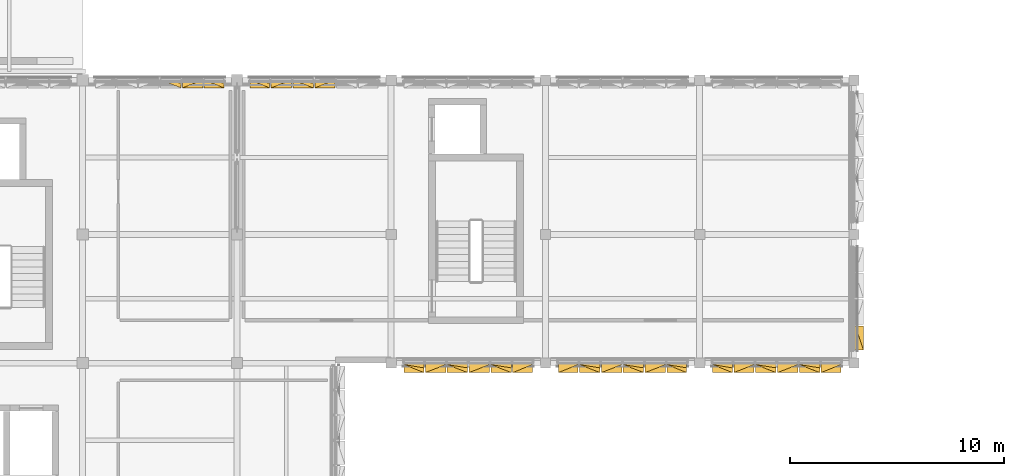
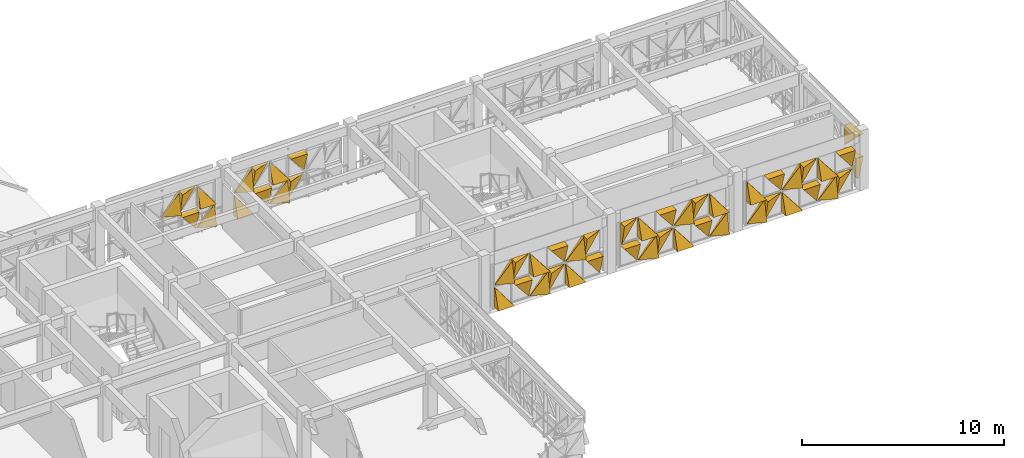
# One storey, part 46 of 48: 51 coverings.
"""IFC4 building model written with IfcOpenShell, lengths in metres."""

from ifc_helpers import new_model, si_unit, direction, frame, origin, place, context, subcontext, project, spatial, polygons, material, layer, layer_set, type_object, element, save


model = new_model("IFC4")

# Units and contexts
model_context = context("Model", 3, precision=1e-05, world=origin(), true_north=direction((0.0, 1.0)))
body_context = subcontext(model_context, "Body", "Model", "MODEL_VIEW")
ifc_project = project(units=[si_unit("LENGTHUNIT", "METRE"), si_unit("AREAUNIT", "SQUARE_METRE"), si_unit("VOLUMEUNIT", "CUBIC_METRE"), si_unit("PLANEANGLEUNIT", "RADIAN"), si_unit("MASSUNIT", "GRAM", prefix="KILO")], contexts=[model_context])

# Site, building, storey
site_placement = place(None, origin())
site = spatial("IfcSite", under=ifc_project, at=site_placement, CompositionType="ELEMENT")
building_placement = place(site_placement, origin())
building = spatial("IfcBuilding", under=site, at=building_placement, Name="Alvorim Cloister Faculty of Sciences", CompositionType="ELEMENT")
storey_placement = place(building_placement, frame((0.0, 0.0, 19.35009765625)))
storey = spatial("IfcBuildingStorey", under=building, at=storey_placement, Name="L05", CompositionType="ELEMENT", Elevation=19.35009765625)

# Coverings
ifc_material = material(Name="Perforated Bronze Alloy Sheet", Category="metal")
ifc_layer = layer(ifc_material, 0.0380859375)
ifc_layer_set = layer_set([ifc_layer], Name="Perforated Bronze Alloy Sheet")
covering_type = type_object("IfcCoveringType", Name="COV-TRI-BRZ", PredefinedType="CLADDING", material=ifc_layer_set)
covering_1_placement = place(storey_placement, frame((25.232421875, 56.445068359375, 1.494873046875), z_axis=(0.0, 0.0, 1.0), x_axis=(1.0, 0.0, 0.0)))
element("IfcCovering", 1, at=covering_1_placement, inside=storey, type_object=covering_type, Name="Diagonal Solid Metal Triangle TRI-BR", PredefinedType="CLADDING", context=body_context, shape_type="Tessellation", body=[
    polygons([(0.002, 0.0260009765625, 0.0), (0.955078125, 0.0260009765625, 0.0), (0.955078125, 0.0260009765625, 1.213087890625), (0.002, -0.03, 0.0), (0.955078125, -0.4, 0.0), (0.955078125, -0.18000000000000002, 1.213087890625)], [[[1, 3, 2]], [[4, 5, 6]], [[1, 2, 5, 4]], [[2, 3, 6, 5]], [[3, 1, 4, 6]]], closed=True),
])
covering_2_placement = place(storey_placement, frame((26.25244140625, 56.445068359375, 0.139892578125), z_axis=(0.0, 0.0, 1.0), x_axis=(1.0, 0.0, 0.0)))
element("IfcCovering", 2, at=covering_2_placement, inside=storey, type_object=covering_type, Name="Diagonal Solid Metal Triangle TRI-TR", PredefinedType="CLADDING", context=body_context, shape_type="Tessellation", body=[
    polygons([(0.955078125, 0.0260009765625, 0.002), (0.955078125, 0.0260009765625, 1.215087890625), (0.002, 0.0260009765625, 1.215087890625), (0.955078125, -0.03, 0.002), (0.955078125, -0.4, 1.215087890625), (0.002, -0.4, 1.215087890625)], [[[1, 3, 2]], [[4, 5, 6]], [[1, 2, 5, 4]], [[2, 3, 6, 5]], [[3, 1, 4, 6]]], closed=True),
])
covering_3_placement = place(storey_placement, frame((26.25244140625, 56.445068359375, 1.494873046875), z_axis=(0.0, 0.0, 1.0), x_axis=(1.0, 0.0, 0.0)))
element("IfcCovering", 3, at=covering_3_placement, inside=storey, type_object=covering_type, Name="Diagonal Solid Metal Triangle TRI-TL", PredefinedType="CLADDING", context=body_context, shape_type="Tessellation", body=[
    polygons([(0.953078125, 0.0260009765625, 1.215087890625), (0.0, 0.0260009765625, 1.215087890625), (0.0, 0.0260009765625, 0.002), (0.953078125, -0.03, 1.215087890625), (0.0, -0.4, 1.215087890625), (0.0, -0.13999999999999999, 0.002)], [[[1, 3, 2]], [[4, 5, 6]], [[1, 2, 5, 4]], [[2, 3, 6, 5]], [[3, 1, 4, 6]]], closed=True),
])
covering_4_placement = place(storey_placement, frame((27.2724609375, 56.445068359375, 0.139892578125), z_axis=(0.0, 0.0, 1.0), x_axis=(1.0, 0.0, 0.0)))
element("IfcCovering", 4, at=covering_4_placement, inside=storey, type_object=covering_type, Name="Diagonal Solid Metal Triangle TRI-BR", PredefinedType="CLADDING", context=body_context, shape_type="Tessellation", body=[
    polygons([(0.002, 0.0260009765625, 0.0), (0.922607421875, 0.0260009765625, 0.0), (0.922607421875, 0.0260009765625, 1.213087890625), (0.002, -0.03, 0.0), (0.922607421875, -0.4, 0.0), (0.922607421875, -0.18000000000000002, 1.213087890625)], [[[1, 3, 2]], [[4, 5, 6]], [[1, 2, 5, 4]], [[2, 3, 6, 5]], [[3, 1, 4, 6]]], closed=True),
])
for number, where, z_axis, x_axis, name in (
    (5, (27.2724609375, 56.445068359375, 1.494873046875), (0.0, 0.0, 1.0), (1.0, 0.0, 0.0), "Diagonal Solid Metal Triangle TRI-BL"),
    (6, (29.405029296875, 56.445068359375, 0.139892578125), (0.0, 0.0, 1.0), (1.0, 0.0, 0.0), "Diagonal Solid Metal Triangle TRI-BL"),
):
    element("IfcCovering", number, at=place(storey_placement, frame(where, z_axis=z_axis, x_axis=x_axis)), inside=storey, type_object=covering_type, Name=name, PredefinedType="CLADDING", context=body_context, shape_type="Tessellation", body=[
        polygons([(0.0, 0.0260009765625, 0.0), (0.920607421875, 0.0260009765625, 0.0), (0.0, 0.0260009765625, 1.213087890625), (0.0, -0.4, 0.0), (0.920607421875, -0.4, 0.0), (0.0, -0.03, 1.213087890625)], [[[1, 3, 2]], [[4, 5, 6]], [[1, 2, 5, 4]], [[2, 3, 6, 5]], [[3, 1, 4, 6]]], closed=True),
    ])
covering_5_placement = place(storey_placement, frame((29.405029296875, 56.445068359375, 1.494873046875), z_axis=(0.0, 0.0, 1.0), x_axis=(1.0, 0.0, 0.0)))
element("IfcCovering", 7, at=covering_5_placement, inside=storey, type_object=covering_type, Name="Diagonal Solid Metal Triangle TRI-BR", PredefinedType="CLADDING", context=body_context, shape_type="Tessellation", body=[
    polygons([(0.002, 0.0260009765625, 0.0), (0.922607421875, 0.0260009765625, 0.0), (0.922607421875, 0.0260009765625, 1.213087890625), (0.002, -0.03, 0.0), (0.922607421875, -0.4, 0.0), (0.922607421875, -0.18000000000000002, 1.213087890625)], [[[1, 3, 2]], [[4, 5, 6]], [[1, 2, 5, 4]], [[2, 3, 6, 5]], [[3, 1, 4, 6]]], closed=True),
])
covering_6_placement = place(storey_placement, frame((30.392578125, 56.445068359375, 0.139892578125), z_axis=(0.0, 0.0, 1.0), x_axis=(1.0, 0.0, 0.0)))
element("IfcCovering", 8, at=covering_6_placement, inside=storey, type_object=covering_type, Name="Diagonal Solid Metal Triangle TRI-TR", PredefinedType="CLADDING", context=body_context, shape_type="Tessellation", body=[
    polygons([(0.955078125, 0.0260009765625, 0.002), (0.955078125, 0.0260009765625, 1.215087890625), (0.002, 0.0260009765625, 1.215087890625), (0.955078125, -0.03, 0.002), (0.955078125, -0.4, 1.215087890625), (0.002, -0.4, 1.215087890625)], [[[1, 3, 2]], [[4, 5, 6]], [[1, 2, 5, 4]], [[2, 3, 6, 5]], [[3, 1, 4, 6]]], closed=True),
])
covering_7_placement = place(storey_placement, frame((30.392578125, 56.445068359375, 1.494873046875), z_axis=(0.0, 0.0, 1.0), x_axis=(1.0, 0.0, 0.0)))
element("IfcCovering", 9, at=covering_7_placement, inside=storey, type_object=covering_type, Name="Diagonal Solid Metal Triangle TRI-TL", PredefinedType="CLADDING", context=body_context, shape_type="Tessellation", body=[
    polygons([(0.953078125, 0.0260009765625, 1.215087890625), (0.0, 0.0260009765625, 1.215087890625), (0.0, 0.0260009765625, 0.002), (0.953078125, -0.03, 1.215087890625), (0.0, -0.4, 1.215087890625), (0.0, -0.13999999999999999, 0.002)], [[[1, 3, 2]], [[4, 5, 6]], [[1, 2, 5, 4]], [[2, 3, 6, 5]], [[3, 1, 4, 6]]], closed=True),
])
covering_8_placement = place(storey_placement, frame((31.41259765625, 56.445068359375, 0.139892578125), z_axis=(0.0, 0.0, 1.0), x_axis=(1.0, 0.0, 0.0)))
element("IfcCovering", 10, at=covering_8_placement, inside=storey, type_object=covering_type, Name="Diagonal Solid Metal Triangle TRI-BR", PredefinedType="CLADDING", context=body_context, shape_type="Tessellation", body=[
    polygons([(0.002, 0.0260009765625, 0.0), (0.955078125, 0.0260009765625, 0.0), (0.955078125, 0.0260009765625, 1.213087890625), (0.002, -0.03, 0.0), (0.955078125, -0.4, 0.0), (0.955078125, -0.18000000000000002, 1.213087890625)], [[[1, 3, 2]], [[4, 5, 6]], [[1, 2, 5, 4]], [[2, 3, 6, 5]], [[3, 1, 4, 6]]], closed=True),
])
covering_9_placement = place(storey_placement, frame((31.41259765625, 56.445068359375, 1.494873046875), z_axis=(0.0, 0.0, 1.0), x_axis=(1.0, 0.0, 0.0)))
element("IfcCovering", 11, at=covering_9_placement, inside=storey, type_object=covering_type, Name="Diagonal Solid Metal Triangle TRI-BL", PredefinedType="CLADDING", context=body_context, shape_type="Tessellation", body=[
    polygons([(0.0, 0.0260009765625, 0.0), (0.953078125, 0.0260009765625, 0.0), (0.0, 0.0260009765625, 1.213087890625), (0.0, -0.4, 0.0), (0.953078125, -0.4, 0.0), (0.0, -0.03, 1.213087890625)], [[[1, 3, 2]], [[4, 5, 6]], [[1, 2, 5, 4]], [[2, 3, 6, 5]], [[3, 1, 4, 6]]], closed=True),
])
covering_10_placement = place(storey_placement, frame((32.4326171875, 56.445068359375, 0.139892578125), z_axis=(0.0, 0.0, 1.0), x_axis=(1.0, 0.0, 0.0)))
element("IfcCovering", 12, at=covering_10_placement, inside=storey, type_object=covering_type, Name="Diagonal Solid Metal Triangle TRI-TL", PredefinedType="CLADDING", context=body_context, shape_type="Tessellation", body=[
    polygons([(0.953078125, 0.0260009765625, 1.215087890625), (0.0, 0.0260009765625, 1.215087890625), (0.0, 0.0260009765625, 0.002), (0.953078125, -0.03, 1.215087890625), (0.0, -0.4, 1.215087890625), (0.0, -0.13999999999999999, 0.002)], [[[1, 3, 2]], [[4, 5, 6]], [[1, 2, 5, 4]], [[2, 3, 6, 5]], [[3, 1, 4, 6]]], closed=True),
])
covering_11_placement = place(storey_placement, frame((32.4326171875, 56.445068359375, 1.494873046875), z_axis=(0.0, 0.0, 1.0), x_axis=(1.0, 0.0, 0.0)))
element("IfcCovering", 13, at=covering_11_placement, inside=storey, type_object=covering_type, Name="Diagonal Solid Metal Triangle TRI-TR", PredefinedType="CLADDING", context=body_context, shape_type="Tessellation", body=[
    polygons([(0.955078125, 0.0260009765625, 0.002), (0.955078125, 0.0260009765625, 1.215087890625), (0.002, 0.0260009765625, 1.215087890625), (0.955078125, -0.03, 0.002), (0.955078125, -0.4, 1.215087890625), (0.002, -0.4, 1.215087890625)], [[[1, 3, 2]], [[4, 5, 6]], [[1, 2, 5, 4]], [[2, 3, 6, 5]], [[3, 1, 4, 6]]], closed=True),
])
covering_12_placement = place(storey_placement, frame((57.64501953125, 43.804931640625, 0.139892578125), z_axis=(0.0, 0.0, 1.0), x_axis=(0.0, 1.0, 0.0)))
element("IfcCovering", 14, at=covering_12_placement, inside=storey, type_object=covering_type, Name="Diagonal Solid Metal Triangle TRI-TL", PredefinedType="CLADDING", context=body_context, shape_type="Tessellation", body=[
    polygons([(1.130568359375, 0.0260009765625, 1.215087890625), (0.0, 0.0260009765625, 1.215087890625), (0.0, 0.0260009765625, 0.002), (1.130568359375, -0.03, 1.215087890625), (0.0, -0.4, 1.215087890625), (0.0, -0.13999999999999999, 0.002)], [[[1, 3, 2]], [[4, 5, 6]], [[1, 2, 5, 4]], [[2, 3, 6, 5]], [[3, 1, 4, 6]]], closed=True),
])
covering_13_placement = place(storey_placement, frame((57.64501953125, 43.804931640625, 1.494873046875), z_axis=(0.0, 0.0, 1.0), x_axis=(0.0, 1.0, 0.0)))
element("IfcCovering", 15, at=covering_13_placement, inside=storey, type_object=covering_type, Name="Diagonal Solid Metal Triangle TRI-TR", PredefinedType="CLADDING", context=body_context, shape_type="Tessellation", body=[
    polygons([(1.132568359375, 0.0260009765625, 0.002), (1.132568359375, 0.0260009765625, 1.215087890625), (0.002, 0.0260009765625, 1.215087890625), (1.132568359375, -0.03, 0.002), (1.132568359375, -0.4, 1.215087890625), (0.002, -0.4, 1.215087890625)], [[[1, 3, 2]], [[4, 5, 6]], [[1, 2, 5, 4]], [[2, 3, 6, 5]], [[3, 1, 4, 6]]], closed=True),
])
covering_14_placement = place(storey_placement, frame((51.0048828125, 43.155029296875, 0.139892578125), z_axis=(0.0, 0.0, 1.0), x_axis=(1.0, 0.0, 0.0)))
element("IfcCovering", 16, at=covering_14_placement, inside=storey, type_object=covering_type, Name="Diagonal Solid Metal Triangle TRI-BR", PredefinedType="CLADDING", context=body_context, shape_type="Tessellation", body=[
    polygons([(0.002, 0.0260009765625, 0.0), (0.922607421875, 0.0260009765625, 0.0), (0.922607421875, 0.0260009765625, 1.213087890625), (0.002, -0.03, 0.0), (0.922607421875, -0.4, 0.0), (0.922607421875, -0.18000000000000002, 1.213087890625)], [[[1, 3, 2]], [[4, 5, 6]], [[1, 2, 5, 4]], [[2, 3, 6, 5]], [[3, 1, 4, 6]]], closed=True),
])
covering_15_placement = place(storey_placement, frame((51.0048828125, 43.155029296875, 1.494873046875), z_axis=(0.0, 0.0, 1.0), x_axis=(1.0, 0.0, 0.0)))
element("IfcCovering", 17, at=covering_15_placement, inside=storey, type_object=covering_type, Name="Diagonal Solid Metal Triangle TRI-BL", PredefinedType="CLADDING", context=body_context, shape_type="Tessellation", body=[
    polygons([(0.0, 0.0260009765625, 0.0), (0.920607421875, 0.0260009765625, 0.0), (0.0, 0.0260009765625, 1.213087890625), (0.0, -0.4, 0.0), (0.920607421875, -0.4, 0.0), (0.0, -0.03, 1.213087890625)], [[[1, 3, 2]], [[4, 5, 6]], [[1, 2, 5, 4]], [[2, 3, 6, 5]], [[3, 1, 4, 6]]], closed=True),
])
covering_16_placement = place(storey_placement, frame((51.992431640625, 43.155029296875, 0.139892578125), z_axis=(0.0, 0.0, 1.0), x_axis=(1.0, 0.0, 0.0)))
element("IfcCovering", 18, at=covering_16_placement, inside=storey, type_object=covering_type, Name="Diagonal Solid Metal Triangle TRI-TL", PredefinedType="CLADDING", context=body_context, shape_type="Tessellation", body=[
    polygons([(0.953078125, 0.0260009765625, 1.215087890625), (0.0, 0.0260009765625, 1.215087890625), (0.0, 0.0260009765625, 0.002), (0.953078125, -0.03, 1.215087890625), (0.0, -0.4, 1.215087890625), (0.0, -0.13999999999999999, 0.002)], [[[1, 3, 2]], [[4, 5, 6]], [[1, 2, 5, 4]], [[2, 3, 6, 5]], [[3, 1, 4, 6]]], closed=True),
])
covering_17_placement = place(storey_placement, frame((51.992431640625, 43.155029296875, 1.494873046875), z_axis=(0.0, 0.0, 1.0), x_axis=(1.0, 0.0, 0.0)))
element("IfcCovering", 19, at=covering_17_placement, inside=storey, type_object=covering_type, Name="Diagonal Solid Metal Triangle TRI-TR", PredefinedType="CLADDING", context=body_context, shape_type="Tessellation", body=[
    polygons([(0.955078125, 0.0260009765625, 0.002), (0.955078125, 0.0260009765625, 1.215087890625), (0.002, 0.0260009765625, 1.215087890625), (0.955078125, -0.03, 0.002), (0.955078125, -0.4, 1.215087890625), (0.002, -0.4, 1.215087890625)], [[[1, 3, 2]], [[4, 5, 6]], [[1, 2, 5, 4]], [[2, 3, 6, 5]], [[3, 1, 4, 6]]], closed=True),
])
covering_18_placement = place(storey_placement, frame((53.012451171875, 43.155029296875, 0.139892578125), z_axis=(0.0, 0.0, 1.0), x_axis=(1.0, 0.0, 0.0)))
element("IfcCovering", 20, at=covering_18_placement, inside=storey, type_object=covering_type, Name="Diagonal Solid Metal Triangle TRI-BL", PredefinedType="CLADDING", context=body_context, shape_type="Tessellation", body=[
    polygons([(0.0, 0.0260009765625, 0.0), (0.953078125, 0.0260009765625, 0.0), (0.0, 0.0260009765625, 1.213087890625), (0.0, -0.4, 0.0), (0.953078125, -0.4, 0.0), (0.0, -0.03, 1.213087890625)], [[[1, 3, 2]], [[4, 5, 6]], [[1, 2, 5, 4]], [[2, 3, 6, 5]], [[3, 1, 4, 6]]], closed=True),
])
covering_19_placement = place(storey_placement, frame((53.012451171875, 43.155029296875, 1.494873046875), z_axis=(0.0, 0.0, 1.0), x_axis=(1.0, 0.0, 0.0)))
element("IfcCovering", 21, at=covering_19_placement, inside=storey, type_object=covering_type, Name="Diagonal Solid Metal Triangle TRI-BR", PredefinedType="CLADDING", context=body_context, shape_type="Tessellation", body=[
    polygons([(0.002, 0.0260009765625, 0.0), (0.955078125, 0.0260009765625, 0.0), (0.955078125, 0.0260009765625, 1.213087890625), (0.002, -0.03, 0.0), (0.955078125, -0.4, 0.0), (0.955078125, -0.18000000000000002, 1.213087890625)], [[[1, 3, 2]], [[4, 5, 6]], [[1, 2, 5, 4]], [[2, 3, 6, 5]], [[3, 1, 4, 6]]], closed=True),
])
covering_20_placement = place(storey_placement, frame((54.032470703125, 43.155029296875, 0.139892578125), z_axis=(0.0, 0.0, 1.0), x_axis=(1.0, 0.0, 0.0)))
element("IfcCovering", 22, at=covering_20_placement, inside=storey, type_object=covering_type, Name="Diagonal Solid Metal Triangle TRI-TR", PredefinedType="CLADDING", context=body_context, shape_type="Tessellation", body=[
    polygons([(0.955078125, 0.0260009765625, 0.002), (0.955078125, 0.0260009765625, 1.215087890625), (0.002, 0.0260009765625, 1.215087890625), (0.955078125, -0.03, 0.002), (0.955078125, -0.4, 1.215087890625), (0.002, -0.4, 1.215087890625)], [[[1, 3, 2]], [[4, 5, 6]], [[1, 2, 5, 4]], [[2, 3, 6, 5]], [[3, 1, 4, 6]]], closed=True),
])
covering_21_placement = place(storey_placement, frame((54.032470703125, 43.155029296875, 1.494873046875), z_axis=(0.0, 0.0, 1.0), x_axis=(1.0, 0.0, 0.0)))
element("IfcCovering", 23, at=covering_21_placement, inside=storey, type_object=covering_type, Name="Diagonal Solid Metal Triangle TRI-TL", PredefinedType="CLADDING", context=body_context, shape_type="Tessellation", body=[
    polygons([(0.953078125, 0.0260009765625, 1.215087890625), (0.0, 0.0260009765625, 1.215087890625), (0.0, 0.0260009765625, 0.002), (0.953078125, -0.03, 1.215087890625), (0.0, -0.4, 1.215087890625), (0.0, -0.13999999999999999, 0.002)], [[[1, 3, 2]], [[4, 5, 6]], [[1, 2, 5, 4]], [[2, 3, 6, 5]], [[3, 1, 4, 6]]], closed=True),
])
covering_22_placement = place(storey_placement, frame((55.052490234375, 43.155029296875, 0.139892578125), z_axis=(0.0, 0.0, 1.0), x_axis=(1.0, 0.0, 0.0)))
element("IfcCovering", 24, at=covering_22_placement, inside=storey, type_object=covering_type, Name="Diagonal Solid Metal Triangle TRI-BR", PredefinedType="CLADDING", context=body_context, shape_type="Tessellation", body=[
    polygons([(0.002, 0.0260009765625, 0.0), (0.955078125, 0.0260009765625, 0.0), (0.955078125, 0.0260009765625, 1.213087890625), (0.002, -0.03, 0.0), (0.955078125, -0.4, 0.0), (0.955078125, -0.18000000000000002, 1.213087890625)], [[[1, 3, 2]], [[4, 5, 6]], [[1, 2, 5, 4]], [[2, 3, 6, 5]], [[3, 1, 4, 6]]], closed=True),
])
covering_23_placement = place(storey_placement, frame((55.052490234375, 43.155029296875, 1.494873046875), z_axis=(0.0, 0.0, 1.0), x_axis=(1.0, 0.0, 0.0)))
element("IfcCovering", 25, at=covering_23_placement, inside=storey, type_object=covering_type, Name="Diagonal Solid Metal Triangle TRI-BL", PredefinedType="CLADDING", context=body_context, shape_type="Tessellation", body=[
    polygons([(0.0, 0.0260009765625, 0.0), (0.953078125, 0.0260009765625, 0.0), (0.0, 0.0260009765625, 1.213087890625), (0.0, -0.4, 0.0), (0.953078125, -0.4, 0.0), (0.0, -0.03, 1.213087890625)], [[[1, 3, 2]], [[4, 5, 6]], [[1, 2, 5, 4]], [[2, 3, 6, 5]], [[3, 1, 4, 6]]], closed=True),
])
covering_24_placement = place(storey_placement, frame((56.072509765625, 43.155029296875, 0.139892578125), z_axis=(0.0, 0.0, 1.0), x_axis=(1.0, 0.0, 0.0)))
element("IfcCovering", 26, at=covering_24_placement, inside=storey, type_object=covering_type, Name="Diagonal Solid Metal Triangle TRI-TL", PredefinedType="CLADDING", context=body_context, shape_type="Tessellation", body=[
    polygons([(0.920607421875, 0.0260009765625, 1.215087890625), (0.0, 0.0260009765625, 1.215087890625), (0.0, 0.0260009765625, 0.002), (0.920607421875, -0.03, 1.215087890625), (0.0, -0.4, 1.215087890625), (0.0, -0.13999999999999999, 0.002)], [[[1, 3, 2]], [[4, 5, 6]], [[1, 2, 5, 4]], [[2, 3, 6, 5]], [[3, 1, 4, 6]]], closed=True),
])
for number, where, z_axis, x_axis, name in (
    (27, (56.072509765625, 43.155029296875, 1.494873046875), (0.0, 0.0, 1.0), (1.0, 0.0, 0.0), "Diagonal Solid Metal Triangle TRI-TR"),
    (28, (43.804931640625, 43.155029296875, 0.139892578125), (0.0, 0.0, 1.0), (1.0, 0.0, 0.0), "Diagonal Solid Metal Triangle TRI-TR"),
):
    element("IfcCovering", number, at=place(storey_placement, frame(where, z_axis=z_axis, x_axis=x_axis)), inside=storey, type_object=covering_type, Name=name, PredefinedType="CLADDING", context=body_context, shape_type="Tessellation", body=[
        polygons([(0.922607421875, 0.0260009765625, 0.002), (0.922607421875, 0.0260009765625, 1.215087890625), (0.002, 0.0260009765625, 1.215087890625), (0.922607421875, -0.03, 0.002), (0.922607421875, -0.4, 1.215087890625), (0.002, -0.4, 1.215087890625)], [[[1, 3, 2]], [[4, 5, 6]], [[1, 2, 5, 4]], [[2, 3, 6, 5]], [[3, 1, 4, 6]]], closed=True),
    ])
covering_25_placement = place(storey_placement, frame((43.804931640625, 43.155029296875, 1.494873046875), z_axis=(0.0, 0.0, 1.0), x_axis=(1.0, 0.0, 0.0)))
element("IfcCovering", 29, at=covering_25_placement, inside=storey, type_object=covering_type, Name="Diagonal Solid Metal Triangle TRI-TL", PredefinedType="CLADDING", context=body_context, shape_type="Tessellation", body=[
    polygons([(0.920607421875, 0.0260009765625, 1.215087890625), (0.0, 0.0260009765625, 1.215087890625), (0.0, 0.0260009765625, 0.002), (0.920607421875, -0.03, 1.215087890625), (0.0, -0.4, 1.215087890625), (0.0, -0.13999999999999999, 0.002)], [[[1, 3, 2]], [[4, 5, 6]], [[1, 2, 5, 4]], [[2, 3, 6, 5]], [[3, 1, 4, 6]]], closed=True),
])
covering_26_placement = place(storey_placement, frame((44.79248046875, 43.155029296875, 0.139892578125), z_axis=(0.0, 0.0, 1.0), x_axis=(1.0, 0.0, 0.0)))
element("IfcCovering", 30, at=covering_26_placement, inside=storey, type_object=covering_type, Name="Diagonal Solid Metal Triangle TRI-BR", PredefinedType="CLADDING", context=body_context, shape_type="Tessellation", body=[
    polygons([(0.002, 0.0260009765625, 0.0), (0.955078125, 0.0260009765625, 0.0), (0.955078125, 0.0260009765625, 1.213087890625), (0.002, -0.03, 0.0), (0.955078125, -0.4, 0.0), (0.955078125, -0.18000000000000002, 1.213087890625)], [[[1, 3, 2]], [[4, 5, 6]], [[1, 2, 5, 4]], [[2, 3, 6, 5]], [[3, 1, 4, 6]]], closed=True),
])
covering_27_placement = place(storey_placement, frame((44.79248046875, 43.155029296875, 1.494873046875), z_axis=(0.0, 0.0, 1.0), x_axis=(1.0, 0.0, 0.0)))
element("IfcCovering", 31, at=covering_27_placement, inside=storey, type_object=covering_type, Name="Diagonal Solid Metal Triangle TRI-BL", PredefinedType="CLADDING", context=body_context, shape_type="Tessellation", body=[
    polygons([(0.0, 0.0260009765625, 0.0), (0.953078125, 0.0260009765625, 0.0), (0.0, 0.0260009765625, 1.213087890625), (0.0, -0.4, 0.0), (0.953078125, -0.4, 0.0), (0.0, -0.03, 1.213087890625)], [[[1, 3, 2]], [[4, 5, 6]], [[1, 2, 5, 4]], [[2, 3, 6, 5]], [[3, 1, 4, 6]]], closed=True),
])
covering_28_placement = place(storey_placement, frame((45.8125, 43.155029296875, 0.139892578125), z_axis=(0.0, 0.0, 1.0), x_axis=(1.0, 0.0, 0.0)))
element("IfcCovering", 32, at=covering_28_placement, inside=storey, type_object=covering_type, Name="Diagonal Solid Metal Triangle TRI-TL", PredefinedType="CLADDING", context=body_context, shape_type="Tessellation", body=[
    polygons([(0.953078125, 0.0260009765625, 1.215087890625), (0.0, 0.0260009765625, 1.215087890625), (0.0, 0.0260009765625, 0.002), (0.953078125, -0.03, 1.215087890625), (0.0, -0.4, 1.215087890625), (0.0, -0.13999999999999999, 0.002)], [[[1, 3, 2]], [[4, 5, 6]], [[1, 2, 5, 4]], [[2, 3, 6, 5]], [[3, 1, 4, 6]]], closed=True),
])
covering_29_placement = place(storey_placement, frame((45.8125, 43.155029296875, 1.494873046875), z_axis=(0.0, 0.0, 1.0), x_axis=(1.0, 0.0, 0.0)))
element("IfcCovering", 33, at=covering_29_placement, inside=storey, type_object=covering_type, Name="Diagonal Solid Metal Triangle TRI-TR", PredefinedType="CLADDING", context=body_context, shape_type="Tessellation", body=[
    polygons([(0.955078125, 0.0260009765625, 0.002), (0.955078125, 0.0260009765625, 1.215087890625), (0.002, 0.0260009765625, 1.215087890625), (0.955078125, -0.03, 0.002), (0.955078125, -0.4, 1.215087890625), (0.002, -0.4, 1.215087890625)], [[[1, 3, 2]], [[4, 5, 6]], [[1, 2, 5, 4]], [[2, 3, 6, 5]], [[3, 1, 4, 6]]], closed=True),
])
covering_30_placement = place(storey_placement, frame((46.83251953125, 43.155029296875, 0.139892578125), z_axis=(0.0, 0.0, 1.0), x_axis=(1.0, 0.0, 0.0)))
element("IfcCovering", 34, at=covering_30_placement, inside=storey, type_object=covering_type, Name="Diagonal Solid Metal Triangle TRI-BL", PredefinedType="CLADDING", context=body_context, shape_type="Tessellation", body=[
    polygons([(0.0, 0.0260009765625, 0.0), (0.953078125, 0.0260009765625, 0.0), (0.0, 0.0260009765625, 1.213087890625), (0.0, -0.4, 0.0), (0.953078125, -0.4, 0.0), (0.0, -0.03, 1.213087890625)], [[[1, 3, 2]], [[4, 5, 6]], [[1, 2, 5, 4]], [[2, 3, 6, 5]], [[3, 1, 4, 6]]], closed=True),
])
covering_31_placement = place(storey_placement, frame((46.83251953125, 43.155029296875, 1.494873046875), z_axis=(0.0, 0.0, 1.0), x_axis=(1.0, 0.0, 0.0)))
element("IfcCovering", 35, at=covering_31_placement, inside=storey, type_object=covering_type, Name="Diagonal Solid Metal Triangle TRI-BR", PredefinedType="CLADDING", context=body_context, shape_type="Tessellation", body=[
    polygons([(0.002, 0.0260009765625, 0.0), (0.955078125, 0.0260009765625, 0.0), (0.955078125, 0.0260009765625, 1.213087890625), (0.002, -0.03, 0.0), (0.955078125, -0.4, 0.0), (0.955078125, -0.18000000000000002, 1.213087890625)], [[[1, 3, 2]], [[4, 5, 6]], [[1, 2, 5, 4]], [[2, 3, 6, 5]], [[3, 1, 4, 6]]], closed=True),
])
covering_32_placement = place(storey_placement, frame((47.8525390625, 43.155029296875, 0.139892578125), z_axis=(0.0, 0.0, 1.0), x_axis=(1.0, 0.0, 0.0)))
element("IfcCovering", 36, at=covering_32_placement, inside=storey, type_object=covering_type, Name="Diagonal Solid Metal Triangle TRI-TR", PredefinedType="CLADDING", context=body_context, shape_type="Tessellation", body=[
    polygons([(0.955078125, 0.0260009765625, 0.002), (0.955078125, 0.0260009765625, 1.215087890625), (0.002, 0.0260009765625, 1.215087890625), (0.955078125, -0.03, 0.002), (0.955078125, -0.4, 1.215087890625), (0.002, -0.4, 1.215087890625)], [[[1, 3, 2]], [[4, 5, 6]], [[1, 2, 5, 4]], [[2, 3, 6, 5]], [[3, 1, 4, 6]]], closed=True),
])
covering_33_placement = place(storey_placement, frame((47.8525390625, 43.155029296875, 1.494873046875), z_axis=(0.0, 0.0, 1.0), x_axis=(1.0, 0.0, 0.0)))
element("IfcCovering", 37, at=covering_33_placement, inside=storey, type_object=covering_type, Name="Diagonal Solid Metal Triangle TRI-TL", PredefinedType="CLADDING", context=body_context, shape_type="Tessellation", body=[
    polygons([(0.953078125, 0.0260009765625, 1.215087890625), (0.0, 0.0260009765625, 1.215087890625), (0.0, 0.0260009765625, 0.002), (0.953078125, -0.03, 1.215087890625), (0.0, -0.4, 1.215087890625), (0.0, -0.13999999999999999, 0.002)], [[[1, 3, 2]], [[4, 5, 6]], [[1, 2, 5, 4]], [[2, 3, 6, 5]], [[3, 1, 4, 6]]], closed=True),
])
covering_34_placement = place(storey_placement, frame((48.87255859375, 43.155029296875, 0.139892578125), z_axis=(0.0, 0.0, 1.0), x_axis=(1.0, 0.0, 0.0)))
element("IfcCovering", 38, at=covering_34_placement, inside=storey, type_object=covering_type, Name="Diagonal Solid Metal Triangle TRI-BR", PredefinedType="CLADDING", context=body_context, shape_type="Tessellation", body=[
    polygons([(0.002, 0.0260009765625, 0.0), (0.922607421875, 0.0260009765625, 0.0), (0.922607421875, 0.0260009765625, 1.213087890625), (0.002, -0.03, 0.0), (0.922607421875, -0.4, 0.0), (0.922607421875, -0.18000000000000002, 1.213087890625)], [[[1, 3, 2]], [[4, 5, 6]], [[1, 2, 5, 4]], [[2, 3, 6, 5]], [[3, 1, 4, 6]]], closed=True),
])
for number, where, z_axis, x_axis, name in (
    (39, (48.87255859375, 43.155029296875, 1.494873046875), (0.0, 0.0, 1.0), (1.0, 0.0, 0.0), "Diagonal Solid Metal Triangle TRI-BL"),
    (40, (36.60498046875, 43.155029296875, 0.139892578125), (0.0, 0.0, 1.0), (1.0, 0.0, 0.0), "Diagonal Solid Metal Triangle TRI-BL"),
):
    element("IfcCovering", number, at=place(storey_placement, frame(where, z_axis=z_axis, x_axis=x_axis)), inside=storey, type_object=covering_type, Name=name, PredefinedType="CLADDING", context=body_context, shape_type="Tessellation", body=[
        polygons([(0.0, 0.0260009765625, 0.0), (0.920607421875, 0.0260009765625, 0.0), (0.0, 0.0260009765625, 1.213087890625), (0.0, -0.4, 0.0), (0.920607421875, -0.4, 0.0), (0.0, -0.03, 1.213087890625)], [[[1, 3, 2]], [[4, 5, 6]], [[1, 2, 5, 4]], [[2, 3, 6, 5]], [[3, 1, 4, 6]]], closed=True),
    ])
covering_35_placement = place(storey_placement, frame((36.60498046875, 43.155029296875, 1.494873046875), z_axis=(0.0, 0.0, 1.0), x_axis=(1.0, 0.0, 0.0)))
element("IfcCovering", 41, at=covering_35_placement, inside=storey, type_object=covering_type, Name="Diagonal Solid Metal Triangle TRI-BR", PredefinedType="CLADDING", context=body_context, shape_type="Tessellation", body=[
    polygons([(0.002, 0.0260009765625, 0.0), (0.922607421875, 0.0260009765625, 0.0), (0.922607421875, 0.0260009765625, 1.213087890625), (0.002, -0.03, 0.0), (0.922607421875, -0.4, 0.0), (0.922607421875, -0.18000000000000002, 1.213087890625)], [[[1, 3, 2]], [[4, 5, 6]], [[1, 2, 5, 4]], [[2, 3, 6, 5]], [[3, 1, 4, 6]]], closed=True),
])
covering_36_placement = place(storey_placement, frame((37.592529296875, 43.155029296875, 0.139892578125), z_axis=(0.0, 0.0, 1.0), x_axis=(1.0, 0.0, 0.0)))
element("IfcCovering", 42, at=covering_36_placement, inside=storey, type_object=covering_type, Name="Diagonal Solid Metal Triangle TRI-TR", PredefinedType="CLADDING", context=body_context, shape_type="Tessellation", body=[
    polygons([(0.955078125, 0.0260009765625, 0.002), (0.955078125, 0.0260009765625, 1.215087890625), (0.002, 0.0260009765625, 1.215087890625), (0.955078125, -0.03, 0.002), (0.955078125, -0.4, 1.215087890625), (0.002, -0.4, 1.215087890625)], [[[1, 3, 2]], [[4, 5, 6]], [[1, 2, 5, 4]], [[2, 3, 6, 5]], [[3, 1, 4, 6]]], closed=True),
])
covering_37_placement = place(storey_placement, frame((37.592529296875, 43.155029296875, 1.494873046875), z_axis=(0.0, 0.0, 1.0), x_axis=(1.0, 0.0, 0.0)))
element("IfcCovering", 43, at=covering_37_placement, inside=storey, type_object=covering_type, Name="Diagonal Solid Metal Triangle TRI-TL", PredefinedType="CLADDING", context=body_context, shape_type="Tessellation", body=[
    polygons([(0.953078125, 0.0260009765625, 1.215087890625), (0.0, 0.0260009765625, 1.215087890625), (0.0, 0.0260009765625, 0.002), (0.953078125, -0.03, 1.215087890625), (0.0, -0.4, 1.215087890625), (0.0, -0.13999999999999999, 0.002)], [[[1, 3, 2]], [[4, 5, 6]], [[1, 2, 5, 4]], [[2, 3, 6, 5]], [[3, 1, 4, 6]]], closed=True),
])
covering_38_placement = place(storey_placement, frame((38.612548828125, 43.155029296875, 0.139892578125), z_axis=(0.0, 0.0, 1.0), x_axis=(1.0, 0.0, 0.0)))
element("IfcCovering", 44, at=covering_38_placement, inside=storey, type_object=covering_type, Name="Diagonal Solid Metal Triangle TRI-BR", PredefinedType="CLADDING", context=body_context, shape_type="Tessellation", body=[
    polygons([(0.002, 0.0260009765625, 0.0), (0.955078125, 0.0260009765625, 0.0), (0.955078125, 0.0260009765625, 1.213087890625), (0.002, -0.03, 0.0), (0.955078125, -0.4, 0.0), (0.955078125, -0.18000000000000002, 1.213087890625)], [[[1, 3, 2]], [[4, 5, 6]], [[1, 2, 5, 4]], [[2, 3, 6, 5]], [[3, 1, 4, 6]]], closed=True),
])
covering_39_placement = place(storey_placement, frame((38.612548828125, 43.155029296875, 1.494873046875), z_axis=(0.0, 0.0, 1.0), x_axis=(1.0, 0.0, 0.0)))
element("IfcCovering", 45, at=covering_39_placement, inside=storey, type_object=covering_type, Name="Diagonal Solid Metal Triangle TRI-BL", PredefinedType="CLADDING", context=body_context, shape_type="Tessellation", body=[
    polygons([(0.0, 0.0260009765625, 0.0), (0.953078125, 0.0260009765625, 0.0), (0.0, 0.0260009765625, 1.213087890625), (0.0, -0.4, 0.0), (0.953078125, -0.4, 0.0), (0.0, -0.03, 1.213087890625)], [[[1, 3, 2]], [[4, 5, 6]], [[1, 2, 5, 4]], [[2, 3, 6, 5]], [[3, 1, 4, 6]]], closed=True),
])
covering_40_placement = place(storey_placement, frame((39.632568359375, 43.155029296875, 0.139892578125), z_axis=(0.0, 0.0, 1.0), x_axis=(1.0, 0.0, 0.0)))
element("IfcCovering", 46, at=covering_40_placement, inside=storey, type_object=covering_type, Name="Diagonal Solid Metal Triangle TRI-TL", PredefinedType="CLADDING", context=body_context, shape_type="Tessellation", body=[
    polygons([(0.953078125, 0.0260009765625, 1.215087890625), (0.0, 0.0260009765625, 1.215087890625), (0.0, 0.0260009765625, 0.002), (0.953078125, -0.03, 1.215087890625), (0.0, -0.4, 1.215087890625), (0.0, -0.13999999999999999, 0.002)], [[[1, 3, 2]], [[4, 5, 6]], [[1, 2, 5, 4]], [[2, 3, 6, 5]], [[3, 1, 4, 6]]], closed=True),
])
covering_41_placement = place(storey_placement, frame((39.632568359375, 43.155029296875, 1.494873046875), z_axis=(0.0, 0.0, 1.0), x_axis=(1.0, 0.0, 0.0)))
element("IfcCovering", 47, at=covering_41_placement, inside=storey, type_object=covering_type, Name="Diagonal Solid Metal Triangle TRI-TR", PredefinedType="CLADDING", context=body_context, shape_type="Tessellation", body=[
    polygons([(0.955078125, 0.0260009765625, 0.002), (0.955078125, 0.0260009765625, 1.215087890625), (0.002, 0.0260009765625, 1.215087890625), (0.955078125, -0.03, 0.002), (0.955078125, -0.4, 1.215087890625), (0.002, -0.4, 1.215087890625)], [[[1, 3, 2]], [[4, 5, 6]], [[1, 2, 5, 4]], [[2, 3, 6, 5]], [[3, 1, 4, 6]]], closed=True),
])
covering_42_placement = place(storey_placement, frame((40.652587890625, 43.155029296875, 0.139892578125), z_axis=(0.0, 0.0, 1.0), x_axis=(1.0, 0.0, 0.0)))
element("IfcCovering", 48, at=covering_42_placement, inside=storey, type_object=covering_type, Name="Diagonal Solid Metal Triangle TRI-BL", PredefinedType="CLADDING", context=body_context, shape_type="Tessellation", body=[
    polygons([(0.0, 0.0260009765625, 0.0), (0.953078125, 0.0260009765625, 0.0), (0.0, 0.0260009765625, 1.213087890625), (0.0, -0.4, 0.0), (0.953078125, -0.4, 0.0), (0.0, -0.03, 1.213087890625)], [[[1, 3, 2]], [[4, 5, 6]], [[1, 2, 5, 4]], [[2, 3, 6, 5]], [[3, 1, 4, 6]]], closed=True),
])
covering_43_placement = place(storey_placement, frame((40.652587890625, 43.155029296875, 1.494873046875), z_axis=(0.0, 0.0, 1.0), x_axis=(1.0, 0.0, 0.0)))
element("IfcCovering", 49, at=covering_43_placement, inside=storey, type_object=covering_type, Name="Diagonal Solid Metal Triangle TRI-BR", PredefinedType="CLADDING", context=body_context, shape_type="Tessellation", body=[
    polygons([(0.002, 0.0260009765625, 0.0), (0.955078125, 0.0260009765625, 0.0), (0.955078125, 0.0260009765625, 1.213087890625), (0.002, -0.03, 0.0), (0.955078125, -0.4, 0.0), (0.955078125, -0.18000000000000002, 1.213087890625)], [[[1, 3, 2]], [[4, 5, 6]], [[1, 2, 5, 4]], [[2, 3, 6, 5]], [[3, 1, 4, 6]]], closed=True),
])
covering_44_placement = place(storey_placement, frame((41.672607421875, 43.155029296875, 0.139892578125), z_axis=(0.0, 0.0, 1.0), x_axis=(1.0, 0.0, 0.0)))
element("IfcCovering", 50, at=covering_44_placement, inside=storey, type_object=covering_type, Name="Diagonal Solid Metal Triangle TRI-TR", PredefinedType="CLADDING", context=body_context, shape_type="Tessellation", body=[
    polygons([(0.922607421875, 0.0260009765625, 0.002), (0.922607421875, 0.0260009765625, 1.215087890625), (0.002, 0.0260009765625, 1.215087890625), (0.922607421875, -0.03, 0.002), (0.922607421875, -0.4, 1.215087890625), (0.002, -0.4, 1.215087890625)], [[[1, 3, 2]], [[4, 5, 6]], [[1, 2, 5, 4]], [[2, 3, 6, 5]], [[3, 1, 4, 6]]], closed=True),
])
covering_45_placement = place(storey_placement, frame((41.672607421875, 43.155029296875, 1.494873046875), z_axis=(0.0, 0.0, 1.0), x_axis=(1.0, 0.0, 0.0)))
element("IfcCovering", 51, at=covering_45_placement, inside=storey, type_object=covering_type, Name="Diagonal Solid Metal Triangle TRI-TL", PredefinedType="CLADDING", context=body_context, shape_type="Tessellation", body=[
    polygons([(0.920607421875, 0.0260009765625, 1.215087890625), (0.0, 0.0260009765625, 1.215087890625), (0.0, 0.0260009765625, 0.002), (0.920607421875, -0.03, 1.215087890625), (0.0, -0.4, 1.215087890625), (0.0, -0.13999999999999999, 0.002)], [[[1, 3, 2]], [[4, 5, 6]], [[1, 2, 5, 4]], [[2, 3, 6, 5]], [[3, 1, 4, 6]]], closed=True),
])

save(model, "model.ifc")
